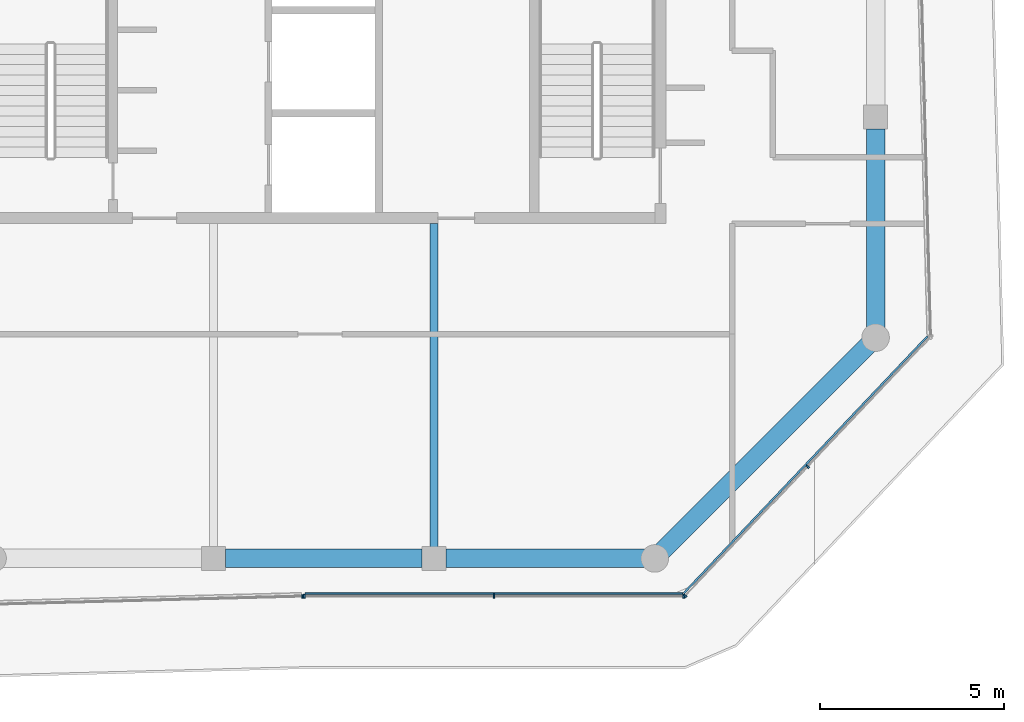
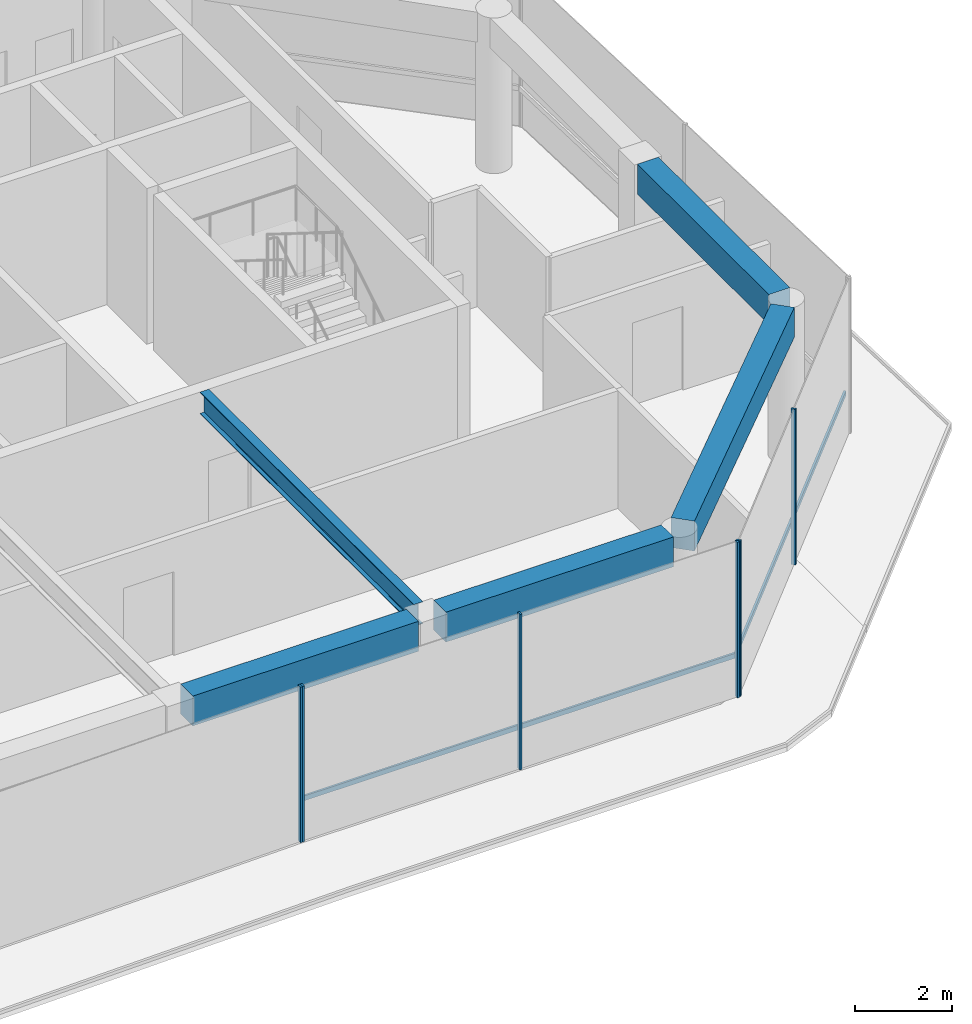
# One storey, part 4 of 20: 8 members, 5 beams, 3 elements without a shape of their own.
"""IFC4 building model written with IfcOpenShell, lengths in metres."""

from ifc_helpers import new_model, si_unit, direction, frame, origin, origin_2d, place, context, subcontext, project, spatial, rectangle, i_section, extrude, material, layer, layer_set, material_profile, profile_set, type_object, element, aggregate, save


model = new_model("IFC4")

# Units and contexts
model_context = context("Model", 3, precision=1e-05, world=origin(), true_north=direction((0.0, 1.0)))
body_context = subcontext(model_context, "Body", "Model", "MODEL_VIEW")
ifc_project = project(units=[si_unit("LENGTHUNIT", "METRE"), si_unit("AREAUNIT", "SQUARE_METRE"), si_unit("VOLUMEUNIT", "CUBIC_METRE"), si_unit("PLANEANGLEUNIT", "RADIAN"), si_unit("MASSUNIT", "GRAM", prefix="KILO")], contexts=[model_context])

# Site, building, storey
site_placement = place(None, origin())
site = spatial("IfcSite", under=ifc_project, at=site_placement, CompositionType="ELEMENT")
building_placement = place(site_placement, origin())
building = spatial("IfcBuilding", under=site, at=building_placement, Name="Welwitschia Terrace Campus", CompositionType="ELEMENT")
storey_placement = place(building_placement, frame((0.0, 0.0, 327.199951171875)))
storey = spatial("IfcBuildingStorey", under=building, at=storey_placement, Name="L73", CompositionType="ELEMENT", Elevation=327.199951171875)

# Beam
ifc_material_1 = material(Name="Steel S355", Category="steel")
ifc_material_profile_1 = material_profile(ifc_material_1, i_section(OverallWidth=0.2099609375, OverallDepth=0.550048828125, WebThickness=0.010986328125, FlangeThickness=0.01708984375, FilletRadius=0.02392578125, at=origin_2d()))
ifc_profile_set_1 = profile_set([ifc_material_profile_1], Name="Steel S355")
beam_type_1 = type_object("IfcBeamType", Name="Interior girder IPE 550", PredefinedType="BEAM", material=ifc_profile_set_1)
beam_1_placement = place(storey_placement, frame((18.0, -3.6845703125, 3.625), z_axis=(0.0, 1.0, 0.0), x_axis=(-1.0, 0.0, 0.0)))
element("IfcBeam", 1, at=beam_1_placement, inside=storey, type_object=beam_type_1, Name="Girder GB7", PredefinedType="BEAM", context=body_context, shape_type="SweptSolid", body=[
    extrude(i_section(OverallWidth=0.2099609375, OverallDepth=0.550048828125, WebThickness=0.010986328125, FlangeThickness=0.01708984375, FilletRadius=0.02392578125, at=origin_2d()), origin(), (0.0, 0.0, 1.0), 8.78369140625),
])

# Curtain wall, member
ifc_material_2 = material(Name="Bronze anodised aluminium", Category="aluminium")
ifc_layer = layer(ifc_material_2, 0.10009765625)
ifc_layer_set = layer_set([ifc_layer], Name="Bronze anodised aluminium")
curtain_wall_type = type_object("IfcCurtainWallType", Name="Curtain wall CW5 crown 6000", PredefinedType="NOTDEFINED", material=ifc_layer_set)
curtain_wall_1_placement = place(storey_placement, origin())
curtain_wall_1 = element("IfcCurtainWall", 2, at=curtain_wall_1_placement, inside=storey, type_object=curtain_wall_type, Name="CW L73.2.0", PredefinedType="NOTDEFINED")
ifc_material_3 = material(Name="Bronze anodised aluminium", Category="aluminium")
ifc_material_profile_2 = material_profile(ifc_material_3, rectangle(XDim=0.10009765625, YDim=0.050048828125, at=origin_2d()))
ifc_profile_set_2 = profile_set([ifc_material_profile_2], Name="Bronze anodised aluminium")
member_type_1 = type_object("IfcMemberType", Name="Mullion 50x100", PredefinedType="MULLION", material=ifc_profile_set_2)
member_1_placement = place(storey_placement, frame((14.42236328125, -5.03076171875, 0.0), z_axis=(0.0, 0.0, 1.0), x_axis=(-0.026176948308, 0.999657324976, 0.0)))
member_1 = element("IfcMember", 3, at=member_1_placement, type_object=member_type_1, Name="Mullion L73.2.0.1", PredefinedType="MULLION", context=body_context, shape_type="SweptSolid", body=[
    extrude(rectangle(XDim=0.10009765625, YDim=0.050048828125, at=origin_2d()), origin(), (0.0, 0.0, 1.0), 3.900146484375),
])
aggregate(curtain_wall_1, [member_1])

# Curtain wall, members
curtain_wall_2_placement = place(storey_placement, origin())
curtain_wall_2 = element("IfcCurtainWall", 4, at=curtain_wall_2_placement, inside=storey, type_object=curtain_wall_type, Name="CW L73.3.0", PredefinedType="NOTDEFINED")
member_2_placement = place(storey_placement, frame((14.472412109375, -5.030029296875, 0.0), z_axis=(0.0, 0.0, 1.0), x_axis=(0.0, 1.0, 0.0)))
member_2 = element("IfcMember", 5, at=member_2_placement, type_object=member_type_1, Name="Mullion L73.3.0.0", PredefinedType="MULLION", context=body_context, shape_type="SweptSolid", body=[
    extrude(rectangle(XDim=0.10009765625, YDim=0.050048828125, at=origin_2d()), origin(), (0.0, 0.0, 1.0), 3.900146484375),
])
member_3_placement = place(storey_placement, frame((19.627685546875, -5.030029296875, 0.0), z_axis=(0.0, 0.0, 1.0), x_axis=(0.0, 1.0, 0.0)))
member_3 = element("IfcMember", 6, at=member_3_placement, type_object=member_type_1, Name="Mullion L73.3.0.1", PredefinedType="MULLION", context=body_context, shape_type="SweptSolid", body=[
    extrude(rectangle(XDim=0.10009765625, YDim=0.050048828125, at=origin_2d()), origin(), (0.0, 0.0, 1.0), 3.900146484375),
])
member_4_placement = place(storey_placement, frame((24.78271484375, -5.030029296875, 0.0), z_axis=(0.0, 0.0, 1.0), x_axis=(0.0, 1.0, 0.0)))
member_4 = element("IfcMember", 7, at=member_4_placement, type_object=member_type_1, Name="Mullion L73.3.0.2", PredefinedType="MULLION", context=body_context, shape_type="SweptSolid", body=[
    extrude(rectangle(XDim=0.10009765625, YDim=0.050048828125, at=origin_2d()), origin(), (0.0, 0.0, 1.0), 3.900146484375),
])

curtain_wall_3_placement = place(storey_placement, origin())
curtain_wall_3 = element("IfcCurtainWall", 8, at=curtain_wall_3_placement, inside=storey, type_object=curtain_wall_type, Name="CW L73.4.0", PredefinedType="NOTDEFINED")
member_5_placement = place(storey_placement, frame((24.824951171875, -5.011962890625, 0.0), z_axis=(0.0, 0.0, 1.0), x_axis=(-0.725374371012, 0.688354575694, 0.0)))
member_5 = element("IfcMember", 9, at=member_5_placement, type_object=member_type_1, Name="Mullion L73.4.0.0", PredefinedType="MULLION", context=body_context, shape_type="SweptSolid", body=[
    extrude(rectangle(XDim=0.10009765625, YDim=0.050048828125, at=origin_2d()), origin(), (0.0, 0.0, 1.0), 3.900146484375),
])
member_6_placement = place(storey_placement, frame((28.15380859375, -1.50390625, 0.0), z_axis=(0.0, 0.0, 1.0), x_axis=(-0.725374371012, 0.688354575694, 0.0)))
member_6 = element("IfcMember", 10, at=member_6_placement, type_object=member_type_1, Name="Mullion L73.4.0.1", PredefinedType="MULLION", context=body_context, shape_type="SweptSolid", body=[
    extrude(rectangle(XDim=0.10009765625, YDim=0.050048828125, at=origin_2d()), origin(), (0.0, 0.0, 1.0), 3.900146484375),
])

# Beams
ifc_material_4 = material(Name="Concrete C40/50", Category="concrete")
ifc_material_profile_3 = material_profile(ifc_material_4, rectangle(XDim=0.5, YDim=0.75, at=origin_2d()))
ifc_profile_set_3 = profile_set([ifc_material_profile_3], Name="Concrete C40/50")
beam_type_2 = type_object("IfcBeamType", Name="Ring spandrel 500x750", PredefinedType="SPANDREL", material=ifc_profile_set_3)
beam_2_placement = place(storey_placement, frame((12.325439453125, -4.0, 3.525146484375), z_axis=(1.0, 0.0, 0.0), x_axis=(0.0, 1.0, 0.0)))
element("IfcBeam", 11, at=beam_2_placement, inside=storey, type_object=beam_type_2, Name="Spandrel SP5", PredefinedType="SPANDREL", context=body_context, shape_type="SweptSolid", body=[
    extrude(rectangle(XDim=0.5, YDim=0.75, at=origin_2d()), origin(), (0.0, 0.0, 1.0), 5.34912109375),
])
beam_3_placement = place(storey_placement, frame((18.325439453125, -4.0, 3.525146484375), z_axis=(1.0, 0.0, 0.0), x_axis=(0.0, 1.0, 0.0)))
element("IfcBeam", 12, at=beam_3_placement, inside=storey, type_object=beam_type_2, Name="Spandrel SP5", PredefinedType="SPANDREL", context=body_context, shape_type="SweptSolid", body=[
    extrude(rectangle(XDim=0.5, YDim=0.75, at=origin_2d()), origin(), (0.0, 0.0, 1.0), 5.39404296875),
])
beam_4_placement = place(storey_placement, frame((24.1982421875, -3.8017578125, 3.525146484375), z_axis=(0.707106781187, 0.707106781187, 0.0), x_axis=(-0.707106781187, 0.707106781187, 0.0)))
element("IfcBeam", 13, at=beam_4_placement, inside=storey, type_object=beam_type_2, Name="Spandrel SP5", PredefinedType="SPANDREL", context=body_context, shape_type="SweptSolid", body=[
    extrude(rectangle(XDim=0.5, YDim=0.75, at=origin_2d()), origin(), (0.0, 0.0, 1.0), 7.924560546875),
])
beam_5_placement = place(storey_placement, frame((30.0, 2.280517578125, 3.525146484375), z_axis=(0.0, 1.0, 0.0), x_axis=(-1.0, 0.0, 0.0)))
element("IfcBeam", 14, at=beam_5_placement, inside=storey, type_object=beam_type_2, Name="Spandrel SP5", PredefinedType="SPANDREL", context=body_context, shape_type="SweptSolid", body=[
    extrude(rectangle(XDim=0.5, YDim=0.75, at=origin_2d()), origin(), (0.0, 0.0, 1.0), 5.39404296875),
])

# Member
ifc_material_5 = material(Name="Bronze anodised aluminium", Category="aluminium")
ifc_material_profile_4 = material_profile(ifc_material_5, rectangle(XDim=0.050048828125, YDim=0.1201171875, at=origin_2d()))
ifc_profile_set_4 = profile_set([ifc_material_profile_4], Name="Bronze anodised aluminium")
member_type_2 = type_object("IfcMemberType", Name="Transom 50x120", PredefinedType="USERDEFINED", material=ifc_profile_set_4)
member_7_placement = place(storey_placement, frame((14.49755859375, -4.955078125, 1.0), z_axis=(1.0, 0.0, 0.0), x_axis=(0.0, 1.0, 0.0)))
member_7 = element("IfcMember", 15, at=member_7_placement, type_object=member_type_2, Name="Transom L73.3.0", ObjectType="TRANSOM", PredefinedType="USERDEFINED", context=body_context, shape_type="SweptSolid", body=[
    extrude(rectangle(XDim=0.050048828125, YDim=0.1201171875, at=origin_2d()), origin(), (0.0, 0.0, 1.0), 10.26025390625),
])

aggregate(curtain_wall_2, [member_2, member_3, member_4, member_7])

member_8_placement = place(storey_placement, frame((24.787841796875, -4.942138671875, 1.0), z_axis=(0.688341919422, 0.725386381155, 0.0), x_axis=(-0.725386381155, 0.688341919422, 0.0)))
member_8 = element("IfcMember", 16, at=member_8_placement, type_object=member_type_2, Name="Transom L73.4.0", ObjectType="TRANSOM", PredefinedType="USERDEFINED", context=body_context, shape_type="SweptSolid", body=[
    extrude(rectangle(XDim=0.050048828125, YDim=0.1201171875, at=origin_2d()), origin(), (0.0, 0.0, 1.0), 9.6220703125),
])

aggregate(curtain_wall_3, [member_5, member_6, member_8])

save(model, "model.ifc")
